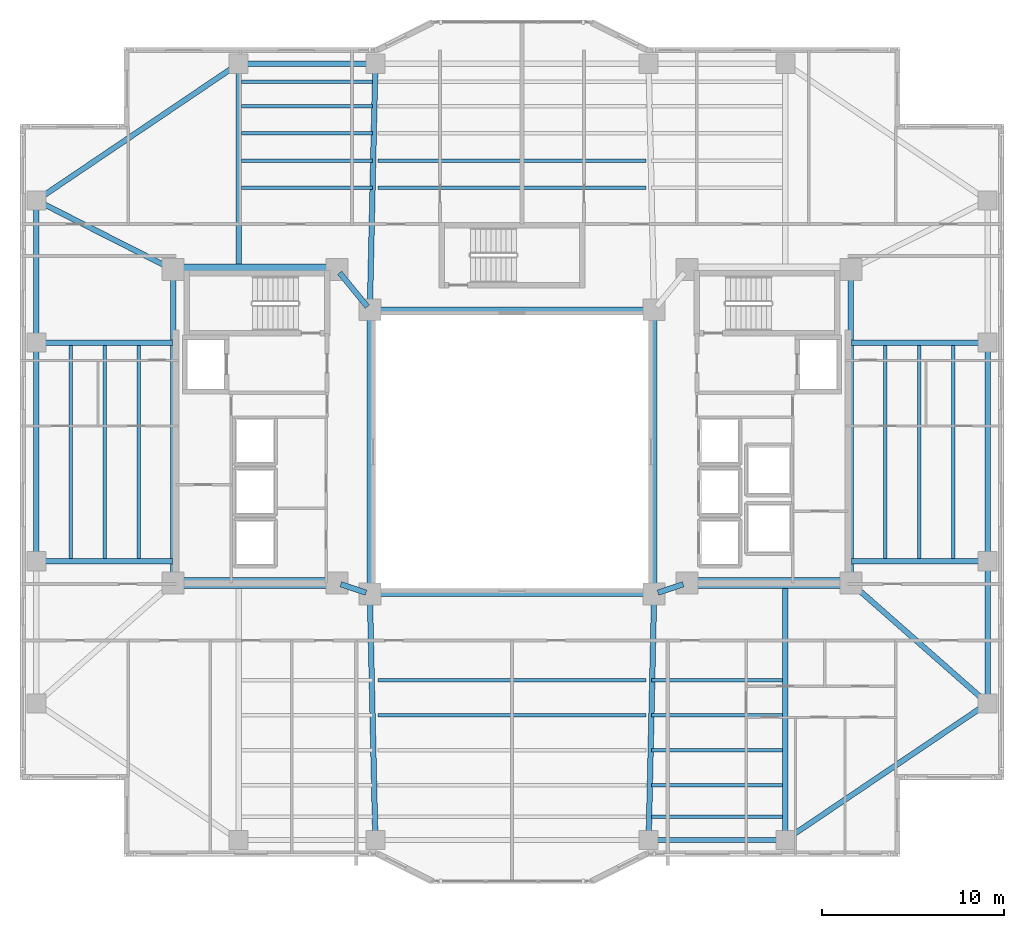
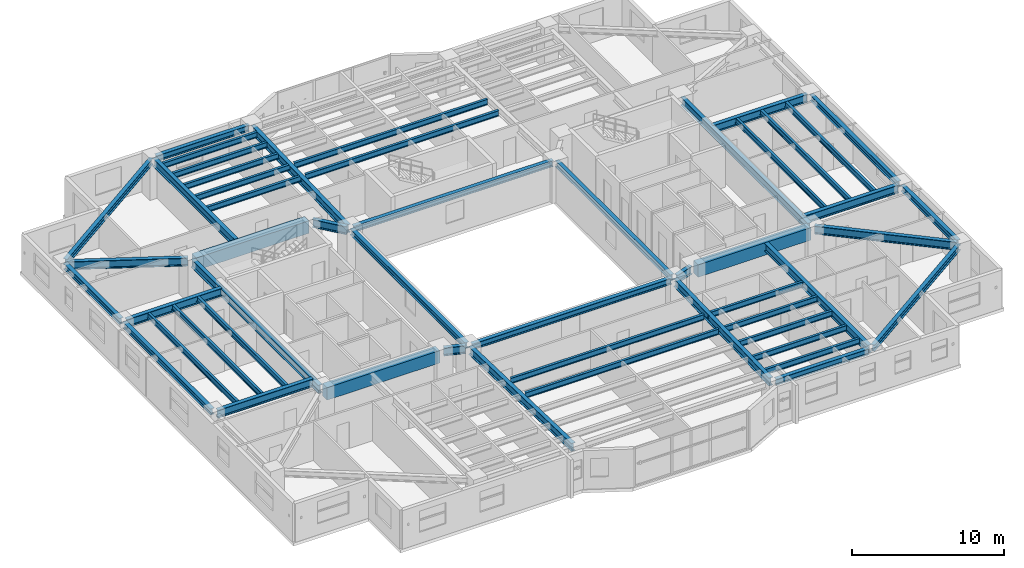
# One storey, part 3 of 18: 51 beams.
"""IFC4 building model written with IfcOpenShell, lengths in metres."""

import ifcopenshell
import ifcopenshell.guid

model = None  # the IFC model being written
_history = None  # IfcOwnerHistory: only IFC2X3 demands one
_inside = {}  # id of a spatial element -> (the spatial element, [elements in it])
_under = {}  # id of a project, library or spatial element -> (it, [spatial elements below it])
_declared = {}  # id of a project -> (the project, [libraries it declares])
_typed = {}  # id of a type object -> (the type object, [elements of that type])
_made_of = {}  # id of a material, layer set ... -> (it, [elements and type objects made of it])


def new_model(schema):
    """Start an empty IFC model of exactly this schema.

    Asked for "IFC4X3", IfcOpenShell would pick the latest addendum, in which some entities
    have other attributes; the version numbers below select the first issue.
    IFC2X3 requires an IfcOwnerHistory on every rooted entity: one is made here for all.
    """
    global model, _history
    if schema == "IFC4X3":
        model = ifcopenshell.file(schema_version=(4, 3, 0, 0))
    else:
        model = ifcopenshell.file(schema=schema)
    _inside.clear()
    _under.clear()
    _declared.clear()
    _typed.clear()
    _made_of.clear()
    _history = None
    if model.schema == "IFC2X3":
        org = make("IfcOrganization", Name="unknown")
        user = make(
            "IfcPersonAndOrganization",
            ThePerson=make("IfcPerson", FamilyName="unknown"),
            TheOrganization=org,
        )
        app = make(
            "IfcApplication",
            ApplicationDeveloper=org,
            Version="unknown",
            ApplicationFullName="unknown",
            ApplicationIdentifier="unknown",
        )
        _history = make(
            "IfcOwnerHistory",
            OwningUser=user,
            OwningApplication=app,
            ChangeAction="ADDED",
            CreationDate=0,
        )
    return model


def make(cls, **values):
    """One entity of the class cls with the attributes given. An attribute that is None is left unset."""
    return model.create_entity(
        cls, **{name: value for name, value in values.items() if value is not None}
    )


def rooted(cls, **values):
    """An entity with a GlobalId (a new one), such as an element, a storey or a relation."""
    return make(cls, GlobalId=ifcopenshell.guid.new(), OwnerHistory=_history, **values)


def si_unit(unit_type, name, prefix=None):
    """IfcSIUnit, for example si_unit("LENGTHUNIT", "METRE", prefix="MILLI")."""
    return make("IfcSIUnit", UnitType=unit_type, Prefix=prefix, Name=name)


def assignment(units):
    """IfcUnitAssignment: the units of a project."""
    return None if units is None else make("IfcUnitAssignment", Units=units)


def point(xyz):
    """IfcCartesianPoint."""
    return None if xyz is None else make("IfcCartesianPoint", Coordinates=xyz)


def direction(xyz):
    """IfcDirection."""
    return None if xyz is None else make("IfcDirection", DirectionRatios=xyz)


def frame(location, z_axis=None, x_axis=None):
    """IfcAxis2Placement3D, a coordinate frame: its origin and axes. An axis left out is left unset."""
    return make(
        "IfcAxis2Placement3D",
        Location=point(location),
        Axis=direction(z_axis),
        RefDirection=direction(x_axis),
    )


def frame_2d(location, x_axis=None):
    """IfcAxis2Placement2D, a coordinate frame in the plane: its origin and x axis."""
    return make(
        "IfcAxis2Placement2D", Location=point(location), RefDirection=direction(x_axis)
    )


def origin():
    """The frame at (0, 0, 0) with its axes left unset."""
    return frame((0.0, 0.0, 0.0))


def origin_2d():
    """The frame at (0, 0) in the plane with its x axis left unset."""
    return frame_2d((0.0, 0.0))


def place(relative_to, where):
    """IfcLocalPlacement: puts the frame where relative to a parent placement (None: the world)."""
    return make(
        "IfcLocalPlacement", PlacementRelTo=relative_to, RelativePlacement=where
    )


def context(
    kind, dimensions, precision=None, world=None, true_north=None, identifier=None
):
    """IfcGeometricRepresentationContext, for example the 3D "Model" context."""
    return make(
        "IfcGeometricRepresentationContext",
        ContextIdentifier=identifier,
        ContextType=kind,
        CoordinateSpaceDimension=dimensions,
        Precision=precision,
        WorldCoordinateSystem=world,
        TrueNorth=true_north,
    )


def subcontext(parent, identifier, kind, view, scale=None):
    """IfcGeometricRepresentationSubContext, for example "Body" below "Model"."""
    return make(
        "IfcGeometricRepresentationSubContext",
        ContextIdentifier=identifier,
        ContextType=kind,
        ParentContext=parent,
        TargetScale=scale,
        TargetView=view,
    )


def project(units=None, contexts=None):
    """IfcProject with its units and contexts."""
    return rooted(
        "IfcProject",
        Name="project",
        RepresentationContexts=contexts,
        UnitsInContext=assignment(units),
    )


def spatial(cls, under=None, at=None, **own):
    """A site, building, storey or space (cls), placed at a placement, below another one or the project."""
    s = rooted(cls, ObjectPlacement=at, **own)
    if under is not None:
        _under.setdefault(under.id(), (under, []))[1].append(s)
    return s


def profile(cls, at=None, kind="AREA", **sizes):
    """A parametric profile (cls). Its sizes go by their IFC names, for example OverallWidth=200.0."""
    return make(cls, ProfileType=kind, Position=at, **sizes)


def rectangle(**sizes):
    """IfcRectangleProfileDef."""
    return profile("IfcRectangleProfileDef", **sizes)


def i_section(**sizes):
    """IfcIShapeProfileDef."""
    return profile("IfcIShapeProfileDef", **sizes)


def extrude(swept, where, along, depth):
    """IfcExtrudedAreaSolid: the profile swept, set in the frame where, extruded along a direction by depth."""
    return make(
        "IfcExtrudedAreaSolid",
        SweptArea=swept,
        Position=where,
        ExtrudedDirection=direction(along),
        Depth=depth,
    )


def shape(context_of_items, identifier, shape_type, items):
    """IfcShapeRepresentation: the items that make up one representation, for example the "Body"."""
    return make(
        "IfcShapeRepresentation",
        ContextOfItems=context_of_items,
        RepresentationIdentifier=identifier,
        RepresentationType=shape_type,
        Items=items,
    )


def material(Name=None, Category=None):
    """IfcMaterial."""
    return make("IfcMaterial", Name=Name, Category=Category)


def material_profile(
    of_material, cross_section, Name=None, Category=None, Priority=None
):
    """IfcMaterialProfile: a cross section and its material."""
    return make(
        "IfcMaterialProfile",
        Name=Name,
        Material=of_material,
        Profile=cross_section,
        Priority=Priority,
        Category=Category,
    )


def profile_set(profiles, Name=None, composite=None):
    """IfcMaterialProfileSet."""
    return make(
        "IfcMaterialProfileSet",
        Name=Name,
        MaterialProfiles=profiles,
        CompositeProfile=composite,
    )


def made_of(thing, what):
    """Note that an element or type object is made of a material, layer set ...; save() writes the relation."""
    if what is not None:
        _made_of.setdefault(what.id(), (what, []))[1].append(thing)
    return thing


def type_object(cls, material=None, **own):
    """A type object (cls), such as IfcWallType, which elements share."""
    return made_of(rooted(cls, **own), material)


def element(
    cls,
    number,
    at=None,
    inside=None,
    cuts=None,
    type_object=None,
    material=None,
    context=None,
    identifier="Body",
    shape_type=None,
    held_by="IfcProductDefinitionShape",
    body=None,
    shapes=None,
    **own,
):
    """One element of the class cls, such as IfcWall. Its Tag is "e" and its number.

    at: its placement. inside: the storey or other place that contains it. cuts: it is an
    opening in that element (IfcRelVoidsElement). A single representation is given by context,
    identifier, shape_type and body (its items); several are given by shapes. held_by: the class
    of the entity that holds the representations. save() writes the other relations.
    """
    e = rooted(cls, Tag="e%d" % number, ObjectPlacement=at, **own)
    if body is not None:
        shapes = [shape(context, identifier, shape_type, body)]
    if shapes is not None:
        e.Representation = make(held_by, Representations=shapes)
    if inside is not None:
        _inside.setdefault(inside.id(), (inside, []))[1].append(e)
    if cuts is not None:
        rooted(
            "IfcRelVoidsElement", RelatingBuildingElement=cuts, RelatedOpeningElement=e
        )
    if type_object is not None:
        _typed.setdefault(type_object.id(), (type_object, []))[1].append(e)
    return made_of(e, material)


def aggregate(whole, parts):
    """IfcRelAggregates: a whole, such as a stair, and the parts it consists of."""
    return rooted("IfcRelAggregates", RelatingObject=whole, RelatedObjects=parts)


def save(model, path):
    """Write the relations noted so far, then the file.

    IfcRelAggregates (storeys below a building ...), IfcRelContainedInSpatialStructure (elements
    in a storey), IfcRelDefinesByType, IfcRelAssociatesMaterial and IfcRelDeclares: one each for
    every whole, place, type object, material and project.
    """
    for whole, parts in _under.values():
        aggregate(whole, parts)
    for where, things in _inside.values():
        rooted(
            "IfcRelContainedInSpatialStructure",
            RelatedElements=things,
            RelatingStructure=where,
        )
    for kind, things in _typed.values():
        rooted("IfcRelDefinesByType", RelatedObjects=things, RelatingType=kind)
    for what, things in _made_of.values():
        rooted("IfcRelAssociatesMaterial", RelatedObjects=things, RelatingMaterial=what)
    for by, libraries in _declared.values():
        rooted("IfcRelDeclares", RelatingContext=by, RelatedDefinitions=libraries)
    model.write(path)


model = new_model("IFC4")

# Units and contexts
model_context = context("Model", 3, precision=1e-05, world=origin(), true_north=direction((0.0, 1.0)))
body_context = subcontext(model_context, "Body", "Model", "MODEL_VIEW")
ifc_project = project(units=[si_unit("LENGTHUNIT", "METRE"), si_unit("AREAUNIT", "SQUARE_METRE"), si_unit("VOLUMEUNIT", "CUBIC_METRE"), si_unit("PLANEANGLEUNIT", "RADIAN"), si_unit("MASSUNIT", "GRAM", prefix="KILO")], contexts=[model_context])

# Site, building, storey
site_placement = place(None, origin())
site = spatial("IfcSite", under=ifc_project, at=site_placement, CompositionType="ELEMENT")
building_placement = place(site_placement, origin())
building = spatial("IfcBuilding", under=site, at=building_placement, Name="Tarnavaz Court Tower", CompositionType="ELEMENT")
storey_placement = place(building_placement, frame((0.0, 0.0, 108.449951171875)))
storey = spatial("IfcBuildingStorey", under=building, at=storey_placement, Name="L29", CompositionType="ELEMENT", Elevation=108.449951171875)

# Beams
ifc_material_1 = material(Name="Concrete C60/75", Category="concrete")
ifc_material_profile_1 = material_profile(ifc_material_1, rectangle(XDim=0.60009765625, YDim=1.0, at=origin_2d()), Name="RC 600X1000")
ifc_profile_set_1 = profile_set([ifc_material_profile_1], Name="Concrete C60/75")
beam_type_1 = type_object("IfcBeamType", Name="BM-CB1000", PredefinedType="LINTEL", material=ifc_profile_set_1)
for number, where, z_axis, x_axis, name in (
    (1, (-18.3798828125, -7.199951171875, 2.60009765625), (1.0, 0.0, 0.0), (0.0, 1.0, 0.0), "L29 Beam IN-CW-SO-CW-SI"),
    (2, (-18.3798828125, 10.0, 2.60009765625), (1.0, 0.0, 0.0), (0.0, 1.0, 0.0), "L29 Beam IN-CW-NO-CW-NI"),
    (3, (18.3798828125, -7.199951171875, 2.60009765625), (-1.0, 0.0, 0.0), (0.0, -1.0, 0.0), "L29 Beam IN-CE-SO-CE-SI"),
):
    element("IfcBeam", number, at=place(storey_placement, frame(where, z_axis=z_axis, x_axis=x_axis)), inside=storey, type_object=beam_type_1, Name=name, PredefinedType="LINTEL", context=body_context, shape_type="SweptSolid", body=[
        extrude(rectangle(XDim=0.60009765625, YDim=1.0, at=origin_2d()), origin(), (0.0, 0.0, 1.0), 8.559814453125),
    ])
ifc_material_2 = material(Name="Steel S355", Category="steel")
ifc_material_profile_2 = material_profile(ifc_material_2, i_section(OverallWidth=0.300048828125, OverallDepth=0.64990234375, WebThickness=0.01611328125, FlangeThickness=0.031005859375, FilletRadius=0.027099609375, at=origin_2d()), Name="HEB 650")
ifc_profile_set_2 = profile_set([ifc_material_profile_2], Name="Steel S355")
beam_type_2 = type_object("IfcBeamType", Name="BM-G-HEB650", PredefinedType="USERDEFINED", material=ifc_profile_set_2)
for number, where, z_axis, x_axis, name in (
    (4, (-9.391357421875, -7.26953125, 2.775146484375), (0.948666544706, -0.316278021615, 0.0), (0.316278021615, 0.948666544706, 0.0), "L29 Beam IN-CW-SI-IW-SW"),
    (5, (9.391357421875, -7.26953125, 2.775146484375), (-0.948666544706, -0.316278021615, 0.0), (0.316278021615, -0.948666544706, 0.0), "L29 Beam IN-CE-SI-IW-SE"),
):
    element("IfcBeam", number, at=place(storey_placement, frame(where, z_axis=z_axis, x_axis=x_axis)), inside=storey, type_object=beam_type_2, Name=name, ObjectType="GIRDER", PredefinedType="USERDEFINED", context=body_context, shape_type="SweptSolid", body=[
        extrude(i_section(OverallWidth=0.300048828125, OverallDepth=0.64990234375, WebThickness=0.01611328125, FlangeThickness=0.031005859375, FilletRadius=0.027099609375, at=origin_2d()), origin(), (0.0, 0.0, 1.0), 1.457275390625),
    ])
beam_1_placement = place(storey_placement, frame((-9.460693359375, 9.82958984375, 2.775146484375), z_axis=(0.633282058357, -0.773921077735, 0.0), x_axis=(0.773921077735, 0.633282058357, 0.0)))
element("IfcBeam", 6, at=beam_1_placement, inside=storey, type_object=beam_type_2, Name="L29 Beam IN-CW-NI-IW-NW", ObjectType="GIRDER", PredefinedType="USERDEFINED", context=body_context, shape_type="SweptSolid", body=[
    extrude(i_section(OverallWidth=0.300048828125, OverallDepth=0.64990234375, WebThickness=0.01611328125, FlangeThickness=0.031005859375, FilletRadius=0.027099609375, at=origin_2d()), origin(), (0.0, 0.0, 1.0), 2.402587890625),
])
for number, where, z_axis, x_axis, name in (
    (7, (-18.60009765625, -6.97998046875, 2.775146484375), (0.0, 1.0, 0.0), (-1.0, 0.0, 0.0), "L29 Beam IN-CW-SO-CW-NO"),
    (8, (18.60009765625, -6.97998046875, 2.775146484375), (0.0, 1.0, 0.0), (-1.0, 0.0, 0.0), "L29 Beam IN-CE-SO-CE-NO"),
):
    element("IfcBeam", number, at=place(storey_placement, frame(where, z_axis=z_axis, x_axis=x_axis)), inside=storey, type_object=beam_type_2, Name=name, ObjectType="GIRDER", PredefinedType="USERDEFINED", context=body_context, shape_type="SweptSolid", body=[
        extrude(i_section(OverallWidth=0.300048828125, OverallDepth=0.64990234375, WebThickness=0.01611328125, FlangeThickness=0.031005859375, FilletRadius=0.027099609375, at=origin_2d()), origin(), (0.0, 0.0, 1.0), 16.760009765625),
    ])
beam_2_placement = place(storey_placement, frame((-15.0, 10.0400390625, 2.775146484375), z_axis=(0.0, 1.0, 0.0), x_axis=(-1.0, 0.0, 0.0)))
element("IfcBeam", 9, at=beam_2_placement, inside=storey, type_object=beam_type_2, Name="L29 Beam RG-01", ObjectType="GIRDER", PredefinedType="USERDEFINED", context=body_context, shape_type="SweptSolid", body=[
    extrude(i_section(OverallWidth=0.300048828125, OverallDepth=0.64990234375, WebThickness=0.01611328125, FlangeThickness=0.031005859375, FilletRadius=0.027099609375, at=origin_2d()), origin(), (0.0, 0.0, 1.0), 11.0400390625),
])
for number, where, z_axis, x_axis, name in (
    (10, (-7.795166015625, 8.02001953125, 2.775146484375), (0.022221303469, 0.99975307635, 0.0), (-0.99975307635, 0.022221303469, 0.0), "L29 Beam RG-02"),
    (11, (-7.795166015625, -8.02001953125, 2.775146484375), (0.022221303469, -0.99975307635, 0.0), (0.99975307635, 0.022221303469, 0.0), "L29 Beam RG-06"),
    (12, (7.795166015625, -8.02001953125, 2.775146484375), (-0.022221303469, -0.99975307635, 0.0), (0.99975307635, -0.022221303469, 0.0), "L29 Beam RG-07"),
):
    element("IfcBeam", number, at=place(storey_placement, frame(where, z_axis=z_axis, x_axis=x_axis)), inside=storey, type_object=beam_type_2, Name=name, ObjectType="GIRDER", PredefinedType="USERDEFINED", context=body_context, shape_type="SweptSolid", body=[
        extrude(i_section(OverallWidth=0.300048828125, OverallDepth=0.64990234375, WebThickness=0.01611328125, FlangeThickness=0.031005859375, FilletRadius=0.027099609375, at=origin_2d()), origin(), (0.0, 0.0, 1.0), 13.063232421875),
    ])
beam_3_placement = place(storey_placement, frame((15.0, -7.239990234375, 2.775146484375), z_axis=(0.0, -1.0, 0.0), x_axis=(1.0, 0.0, 0.0)))
element("IfcBeam", 13, at=beam_3_placement, inside=storey, type_object=beam_type_2, Name="L29 Beam RG-08", ObjectType="GIRDER", PredefinedType="USERDEFINED", context=body_context, shape_type="SweptSolid", body=[
    extrude(i_section(OverallWidth=0.300048828125, OverallDepth=0.64990234375, WebThickness=0.01611328125, FlangeThickness=0.031005859375, FilletRadius=0.027099609375, at=origin_2d()), origin(), (0.0, 0.0, 1.0), 13.840087890625),
])
for number, where, z_axis, x_axis, name in (
    (14, (18.639892578125, -6.0, 2.775146484375), (1.0, 0.0, 0.0), (0.0, 1.0, 0.0), "L29 Beam RG-09"),
    (15, (18.639892578125, 6.0, 2.775146484375), (1.0, 0.0, 0.0), (0.0, 1.0, 0.0), "L29 Beam RG-10"),
):
    element("IfcBeam", number, at=place(storey_placement, frame(where, z_axis=z_axis, x_axis=x_axis)), inside=storey, type_object=beam_type_2, Name=name, ObjectType="GIRDER", PredefinedType="USERDEFINED", context=body_context, shape_type="SweptSolid", body=[
        extrude(i_section(OverallWidth=0.300048828125, OverallDepth=0.64990234375, WebThickness=0.01611328125, FlangeThickness=0.031005859375, FilletRadius=0.027099609375, at=origin_2d()), origin(), (0.0, 0.0, 1.0), 7.239990234375),
    ])
beam_4_placement = place(storey_placement, frame((18.76513671875, -7.34521484375, 2.775146484375), z_axis=(0.750700332035, -0.660642877417, 0.0), x_axis=(0.660642877417, 0.750700332035, 0.0)))
element("IfcBeam", 16, at=beam_4_placement, inside=storey, type_object=beam_type_2, Name="L29 Beam RG-11", ObjectType="GIRDER", PredefinedType="USERDEFINED", context=body_context, shape_type="SweptSolid", body=[
    extrude(i_section(OverallWidth=0.300048828125, OverallDepth=0.64990234375, WebThickness=0.01611328125, FlangeThickness=0.031005859375, FilletRadius=0.027099609375, at=origin_2d()), origin(), (0.0, 0.0, 1.0), 9.550537109375),
])
for number, where, z_axis, x_axis, name in (
    (17, (-18.639892578125, -6.0, 2.775146484375), (-1.0, 0.0, 0.0), (0.0, -1.0, 0.0), "L29 Beam RG-13"),
    (18, (-18.639892578125, 6.0, 2.775146484375), (-1.0, 0.0, 0.0), (0.0, -1.0, 0.0), "L29 Beam RG-14"),
):
    element("IfcBeam", number, at=place(storey_placement, frame(where, z_axis=z_axis, x_axis=x_axis)), inside=storey, type_object=beam_type_2, Name=name, ObjectType="GIRDER", PredefinedType="USERDEFINED", context=body_context, shape_type="SweptSolid", body=[
        extrude(i_section(OverallWidth=0.300048828125, OverallDepth=0.64990234375, WebThickness=0.01611328125, FlangeThickness=0.031005859375, FilletRadius=0.027099609375, at=origin_2d()), origin(), (0.0, 0.0, 1.0), 7.239990234375),
    ])
beam_5_placement = place(storey_placement, frame((-18.796142578125, 10.099365234375, 2.775146484375), z_axis=(-0.892030669981, 0.451974870776, 0.0), x_axis=(-0.451974870776, -0.892030669981, 0.0)))
element("IfcBeam", 19, at=beam_5_placement, inside=storey, type_object=beam_type_2, Name="L29 Beam RG-16", ObjectType="GIRDER", PredefinedType="USERDEFINED", context=body_context, shape_type="SweptSolid", body=[
    extrude(i_section(OverallWidth=0.300048828125, OverallDepth=0.64990234375, WebThickness=0.01611328125, FlangeThickness=0.031005859375, FilletRadius=0.027099609375, at=origin_2d()), origin(), (0.0, 0.0, 1.0), 7.968017578125),
])
ifc_material_profile_3 = material_profile(ifc_material_2, i_section(OverallWidth=0.18994140625, OverallDepth=0.449951171875, WebThickness=0.009521484375, FlangeThickness=0.0146484375, FilletRadius=0.02099609375, at=origin_2d()), Name="IPE 450")
ifc_profile_set_3 = profile_set([ifc_material_profile_3], Name="Steel S355")
beam_type_3 = type_object("IfcBeamType", Name="BM-J-IPE450", PredefinedType="JOIST", material=ifc_profile_set_3)
beam_6_placement = place(storey_placement, frame((-14.85009765625, 14.493896484375, 2.875), z_axis=(1.0, 0.0, 0.0), x_axis=(0.0, 1.0, 0.0)))
element("IfcBeam", 20, at=beam_6_placement, inside=storey, type_object=beam_type_3, Name="L29 Beam JN1-1", PredefinedType="JOIST", context=body_context, shape_type="SweptSolid", body=[
    extrude(i_section(OverallWidth=0.18994140625, OverallDepth=0.449951171875, WebThickness=0.009521484375, FlangeThickness=0.0146484375, FilletRadius=0.02099609375, at=origin_2d()), origin(), (0.0, 0.0, 1.0), 7.2001953125),
])
for number, where, z_axis, x_axis, name in (
    (21, (-7.35009765625, 14.493896484375, 2.875), (1.0, 0.0, 0.0), (0.0, 1.0, 0.0), "L29 Beam JN1-2"),
    (22, (-7.35009765625, -12.52587890625, 2.875), (1.0, 0.0, 0.0), (0.0, 1.0, 0.0), "L29 Beam JS1-2"),
):
    element("IfcBeam", number, at=place(storey_placement, frame(where, z_axis=z_axis, x_axis=x_axis)), inside=storey, type_object=beam_type_3, Name=name, PredefinedType="JOIST", context=body_context, shape_type="SweptSolid", body=[
        extrude(i_section(OverallWidth=0.18994140625, OverallDepth=0.449951171875, WebThickness=0.009521484375, FlangeThickness=0.0146484375, FilletRadius=0.02099609375, at=origin_2d()), origin(), (0.0, 0.0, 1.0), 14.7001953125),
    ])
for number, where, z_axis, x_axis, name in (
    (23, (7.64990234375, -12.52587890625, 2.875), (1.0, 0.0, 0.0), (0.0, 1.0, 0.0), "L29 Beam JS1-3"),
    (24, (-14.85009765625, 15.988037109375, 2.875), (1.0, 0.0, 0.0), (0.0, 1.0, 0.0), "L29 Beam JN2-1"),
):
    element("IfcBeam", number, at=place(storey_placement, frame(where, z_axis=z_axis, x_axis=x_axis)), inside=storey, type_object=beam_type_3, Name=name, PredefinedType="JOIST", context=body_context, shape_type="SweptSolid", body=[
        extrude(i_section(OverallWidth=0.18994140625, OverallDepth=0.449951171875, WebThickness=0.009521484375, FlangeThickness=0.0146484375, FilletRadius=0.02099609375, at=origin_2d()), origin(), (0.0, 0.0, 1.0), 7.2001953125),
    ])
for number, where, z_axis, x_axis, name in (
    (25, (-7.35009765625, 15.988037109375, 2.875), (1.0, 0.0, 0.0), (0.0, 1.0, 0.0), "L29 Beam JN2-2"),
    (26, (-7.35009765625, -14.451904296875, 2.875), (1.0, 0.0, 0.0), (0.0, 1.0, 0.0), "L29 Beam JS2-2"),
):
    element("IfcBeam", number, at=place(storey_placement, frame(where, z_axis=z_axis, x_axis=x_axis)), inside=storey, type_object=beam_type_3, Name=name, PredefinedType="JOIST", context=body_context, shape_type="SweptSolid", body=[
        extrude(i_section(OverallWidth=0.18994140625, OverallDepth=0.449951171875, WebThickness=0.009521484375, FlangeThickness=0.0146484375, FilletRadius=0.02099609375, at=origin_2d()), origin(), (0.0, 0.0, 1.0), 14.7001953125),
    ])
for number, where, z_axis, x_axis, name in (
    (27, (7.64990234375, -14.451904296875, 2.875), (1.0, 0.0, 0.0), (0.0, 1.0, 0.0), "L29 Beam JS2-3"),
    (28, (-14.85009765625, 17.48193359375, 2.875), (1.0, 0.0, 0.0), (0.0, 1.0, 0.0), "L29 Beam JN3-1"),
    (29, (7.64990234375, -16.3779296875, 2.875), (1.0, 0.0, 0.0), (0.0, 1.0, 0.0), "L29 Beam JS3-3"),
    (30, (-14.85009765625, 18.97607421875, 2.875), (1.0, 0.0, 0.0), (0.0, 1.0, 0.0), "L29 Beam JN4-1"),
    (31, (7.64990234375, -18.303955078125, 2.875), (1.0, 0.0, 0.0), (0.0, 1.0, 0.0), "L29 Beam JS4-3"),
    (32, (-14.85009765625, 20.303955078125, 2.875), (1.0, 0.0, 0.0), (0.0, 1.0, 0.0), "L29 Beam JN5-1"),
    (33, (7.64990234375, -20.01611328125, 2.875), (1.0, 0.0, 0.0), (0.0, 1.0, 0.0), "L29 Beam JS5-3"),
):
    element("IfcBeam", number, at=place(storey_placement, frame(where, z_axis=z_axis, x_axis=x_axis)), inside=storey, type_object=beam_type_3, Name=name, PredefinedType="JOIST", context=body_context, shape_type="SweptSolid", body=[
        extrude(i_section(OverallWidth=0.18994140625, OverallDepth=0.449951171875, WebThickness=0.009521484375, FlangeThickness=0.0146484375, FilletRadius=0.02099609375, at=origin_2d()), origin(), (0.0, 0.0, 1.0), 7.2001953125),
    ])
for number, where, z_axis, x_axis, name in (
    (34, (20.47509765625, -5.9599609375, 2.875), (0.0, 1.0, 0.0), (-1.0, 0.0, 0.0), "L29 Beam JE1"),
    (35, (-20.47509765625, -5.9599609375, 2.875), (0.0, 1.0, 0.0), (-1.0, 0.0, 0.0), "L29 Beam JW1"),
    (36, (22.35009765625, -5.9599609375, 2.875), (0.0, 1.0, 0.0), (-1.0, 0.0, 0.0), "L29 Beam JE2"),
    (37, (-22.35009765625, -5.9599609375, 2.875), (0.0, 1.0, 0.0), (-1.0, 0.0, 0.0), "L29 Beam JW2"),
    (38, (24.22509765625, -5.9599609375, 2.875), (0.0, 1.0, 0.0), (-1.0, 0.0, 0.0), "L29 Beam JE3"),
    (39, (-24.22509765625, -5.9599609375, 2.875), (0.0, 1.0, 0.0), (-1.0, 0.0, 0.0), "L29 Beam JW3"),
):
    element("IfcBeam", number, at=place(storey_placement, frame(where, z_axis=z_axis, x_axis=x_axis)), inside=storey, type_object=beam_type_3, Name=name, PredefinedType="JOIST", context=body_context, shape_type="SweptSolid", body=[
        extrude(i_section(OverallWidth=0.18994140625, OverallDepth=0.449951171875, WebThickness=0.009521484375, FlangeThickness=0.0146484375, FilletRadius=0.02099609375, at=origin_2d()), origin(), (0.0, 0.0, 1.0), 11.919921875),
    ])
ifc_material_profile_4 = material_profile(ifc_material_2, i_section(OverallWidth=0.300048828125, OverallDepth=0.489990234375, WebThickness=0.011962890625, FlangeThickness=0.02294921875, FilletRadius=0.027099609375, at=origin_2d()), Name="HEA 500")
ifc_profile_set_4 = profile_set([ifc_material_profile_4], Name="Steel S355")
beam_type_4 = type_object("IfcBeamType", Name="BM-SP-HEA500", PredefinedType="SPANDREL", material=ifc_profile_set_4)
for number, where, z_axis, x_axis, name in (
    (40, (-7.580078125, -7.800048828125, 2.85498046875), (1.0, 0.0, 0.0), (0.0, 1.0, 0.0), "L29 Beam IN-IW-SW-IW-SE"),
    (41, (-7.580078125, 7.800048828125, 2.85498046875), (1.0, 0.0, 0.0), (0.0, 1.0, 0.0), "L29 Beam IN-IW-NW-IW-NE"),
    (42, (-7.800048828125, -7.580078125, 2.85498046875), (0.0, 1.0, 0.0), (-1.0, 0.0, 0.0), "L29 Beam IN-IW-SW-IW-NW"),
    (43, (7.800048828125, -7.580078125, 2.85498046875), (0.0, 1.0, 0.0), (-1.0, 0.0, 0.0), "L29 Beam IN-IW-SE-IW-NE"),
):
    element("IfcBeam", number, at=place(storey_placement, frame(where, z_axis=z_axis, x_axis=x_axis)), inside=storey, type_object=beam_type_4, Name=name, PredefinedType="SPANDREL", context=body_context, shape_type="SweptSolid", body=[
        extrude(i_section(OverallWidth=0.300048828125, OverallDepth=0.489990234375, WebThickness=0.011962890625, FlangeThickness=0.02294921875, FilletRadius=0.027099609375, at=origin_2d()), origin(), (0.0, 0.0, 1.0), 15.16015625),
    ])
for number, where, z_axis, x_axis, name in (
    (44, (-14.780029296875, 21.300048828125, 2.85498046875), (1.0, 0.0, 0.0), (0.0, 1.0, 0.0), "L29 Beam PR-PN-1-PN-2"),
    (45, (7.719970703125, -21.300048828125, 2.85498046875), (1.0, 0.0, 0.0), (0.0, 1.0, 0.0), "L29 Beam PR-PS-3-PS-4"),
):
    element("IfcBeam", number, at=place(storey_placement, frame(where, z_axis=z_axis, x_axis=x_axis)), inside=storey, type_object=beam_type_4, Name=name, PredefinedType="SPANDREL", context=body_context, shape_type="SweptSolid", body=[
        extrude(i_section(OverallWidth=0.300048828125, OverallDepth=0.489990234375, WebThickness=0.011962890625, FlangeThickness=0.02294921875, FilletRadius=0.027099609375, at=origin_2d()), origin(), (0.0, 0.0, 1.0), 7.06005859375),
    ])
beam_7_placement = place(storey_placement, frame((26.10009765625, -13.580078125, 2.85498046875), z_axis=(0.0, 1.0, 0.0), x_axis=(-1.0, 0.0, 0.0)))
element("IfcBeam", 46, at=beam_7_placement, inside=storey, type_object=beam_type_4, Name="L29 Beam PR-PE-1-PE-2", PredefinedType="SPANDREL", context=body_context, shape_type="SweptSolid", body=[
    extrude(i_section(OverallWidth=0.300048828125, OverallDepth=0.489990234375, WebThickness=0.011962890625, FlangeThickness=0.02294921875, FilletRadius=0.027099609375, at=origin_2d()), origin(), (0.0, 0.0, 1.0), 7.360107421875),
])
for number, where, z_axis, x_axis, name in (
    (47, (26.10009765625, -5.780029296875, 2.85498046875), (0.0, 1.0, 0.0), (-1.0, 0.0, 0.0), "L29 Beam PR-PE-2-PE-3"),
    (48, (-26.10009765625, -5.780029296875, 2.85498046875), (0.0, 1.0, 0.0), (-1.0, 0.0, 0.0), "L29 Beam PR-PW-2-PW-3"),
):
    element("IfcBeam", number, at=place(storey_placement, frame(where, z_axis=z_axis, x_axis=x_axis)), inside=storey, type_object=beam_type_4, Name=name, PredefinedType="SPANDREL", context=body_context, shape_type="SweptSolid", body=[
        extrude(i_section(OverallWidth=0.300048828125, OverallDepth=0.489990234375, WebThickness=0.011962890625, FlangeThickness=0.02294921875, FilletRadius=0.027099609375, at=origin_2d()), origin(), (0.0, 0.0, 1.0), 11.56005859375),
    ])
beam_8_placement = place(storey_placement, frame((-26.10009765625, 6.219970703125, 2.85498046875), z_axis=(0.0, 1.0, 0.0), x_axis=(-1.0, 0.0, 0.0)))
element("IfcBeam", 49, at=beam_8_placement, inside=storey, type_object=beam_type_4, Name="L29 Beam PR-PW-3-PW-4", PredefinedType="SPANDREL", context=body_context, shape_type="SweptSolid", body=[
    extrude(i_section(OverallWidth=0.300048828125, OverallDepth=0.489990234375, WebThickness=0.011962890625, FlangeThickness=0.02294921875, FilletRadius=0.027099609375, at=origin_2d()), origin(), (0.0, 0.0, 1.0), 7.360107421875),
])
for number, where, z_axis, x_axis, name in (
    (50, (25.917724609375, -13.923095703125, 2.85498046875), (-0.828587314918, -0.559859858854, 0.0), (0.559859858854, -0.828587314918, 0.0), "L29 Beam PR-PE-1-PS-4"),
    (51, (-25.917724609375, 13.923095703125, 2.85498046875), (0.828587314918, 0.559859858854, 0.0), (-0.559859858854, 0.828587314918, 0.0), "L29 Beam PR-PW-4-PN-1"),
):
    element("IfcBeam", number, at=place(storey_placement, frame(where, z_axis=z_axis, x_axis=x_axis)), inside=storey, type_object=beam_type_4, Name=name, PredefinedType="SPANDREL", context=body_context, shape_type="SweptSolid", body=[
        extrude(i_section(OverallWidth=0.300048828125, OverallDepth=0.489990234375, WebThickness=0.011962890625, FlangeThickness=0.02294921875, FilletRadius=0.027099609375, at=origin_2d()), origin(), (0.0, 0.0, 1.0), 12.956298828125),
    ])

save(model, "model.ifc")
